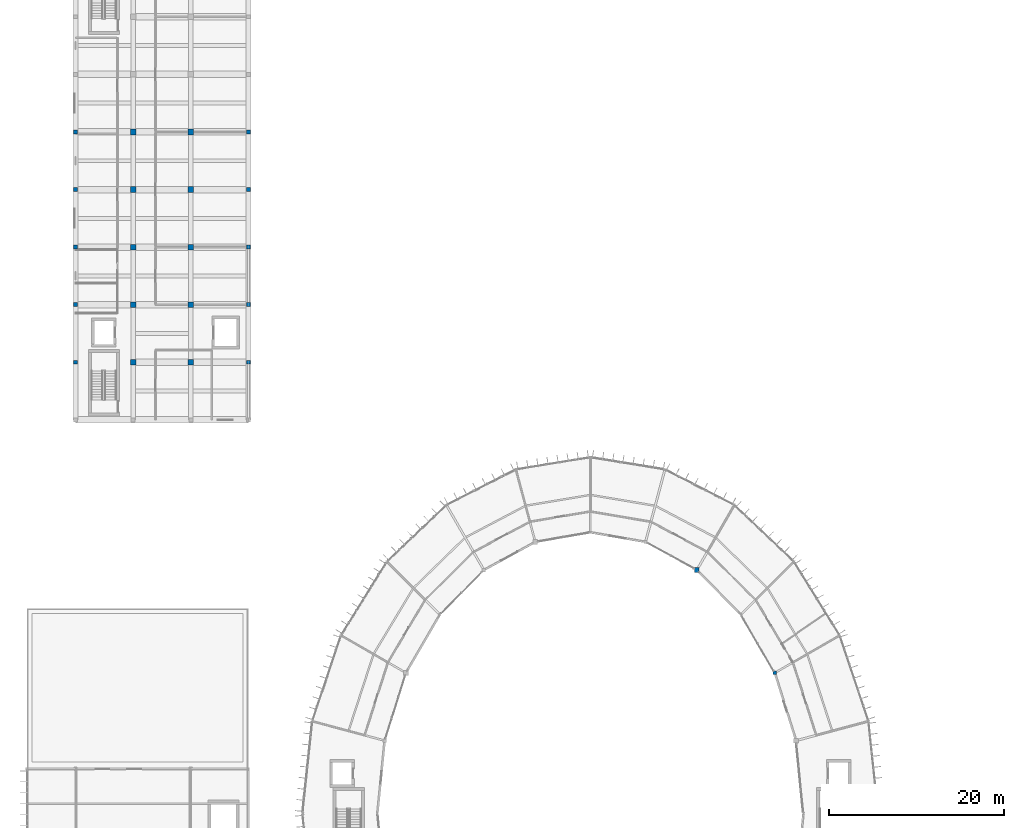
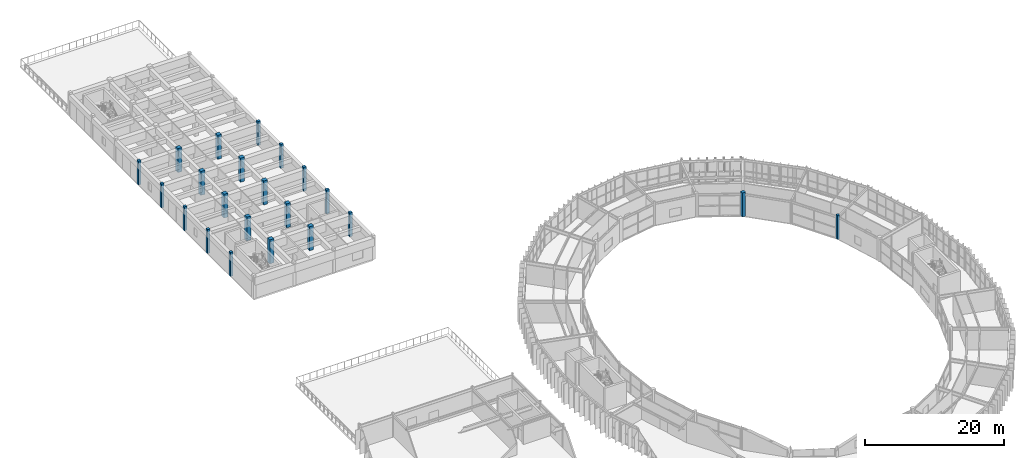
# One storey, part 15 of 130: 22 columns.
"""IFC4 building model written with IfcOpenShell, lengths in metres."""

from ifc_helpers import new_model, si_unit, direction, frame, origin, origin_2d, place, context, subcontext, project, spatial, rectangle, extrude, material, material_profile, profile_set, type_object, element, save


model = new_model("IFC4")

# Units and contexts
model_context = context("Model", 3, precision=1e-05, world=origin(), true_north=direction((0.0, 1.0)))
body_context = subcontext(model_context, "Body", "Model", "MODEL_VIEW")
ifc_project = project(units=[si_unit("LENGTHUNIT", "METRE"), si_unit("AREAUNIT", "SQUARE_METRE"), si_unit("VOLUMEUNIT", "CUBIC_METRE"), si_unit("PLANEANGLEUNIT", "RADIAN"), si_unit("MASSUNIT", "GRAM", prefix="KILO")], contexts=[model_context])

# Site, building, storey
site_placement = place(None, origin())
site = spatial("IfcSite", under=ifc_project, at=site_placement, CompositionType="ELEMENT")
building_placement = place(site_placement, origin())
building = spatial("IfcBuilding", under=site, at=building_placement, Name="Karori Crest Natural Sciences Institute", CompositionType="ELEMENT")
storey_placement = place(building_placement, frame((0.0, 0.0, 17.5)))
storey = spatial("IfcBuildingStorey", under=building, at=storey_placement, Name="L04", CompositionType="ELEMENT", Elevation=17.5)

# Columns
ifc_material = material(Name="Concrete 50 MPa", Category="concrete")
ifc_material_profile_1 = material_profile(ifc_material, rectangle(XDim=0.64990234375, YDim=0.64990234375, at=origin_2d()), Name="RC650x650")
ifc_profile_set_1 = profile_set([ifc_material_profile_1], Name="Concrete 50 MPa")
column_type_1 = type_object("IfcColumnType", Name="CT-19-IL", PredefinedType="COLUMN", material=ifc_profile_set_1)
for number, where, z_axis, x_axis, name in (
    (1, (14.0, 101.60009765625, 0.0), (0.0, 0.0, 1.0), (1.0, 0.0, 0.0), "Column C-0799"),
    (2, (14.0, 108.199951171875, 0.0), (0.0, 0.0, 1.0), (1.0, 0.0, 0.0), "Column C-0807"),
    (3, (14.0, 114.800048828125, 0.0), (0.0, 0.0, 1.0), (1.0, 0.0, 0.0), "Column C-0815"),
    (4, (14.0, 121.39990234375, 0.0), (0.0, 0.0, 1.0), (1.0, 0.0, 0.0), "Column C-0823"),
    (5, (14.0, 128.0, 0.0), (0.0, 0.0, 1.0), (1.0, 0.0, 0.0), "Column C-0830"),
    (6, (20.60009765625, 101.60009765625, 0.0), (0.0, 0.0, 1.0), (1.0, 0.0, 0.0), "Column C-0876"),
    (7, (20.60009765625, 108.199951171875, 0.0), (0.0, 0.0, 1.0), (1.0, 0.0, 0.0), "Column C-0884"),
    (8, (20.60009765625, 114.800048828125, 0.0), (0.0, 0.0, 1.0), (1.0, 0.0, 0.0), "Column C-0892"),
    (9, (20.60009765625, 121.39990234375, 0.0), (0.0, 0.0, 1.0), (1.0, 0.0, 0.0), "Column C-0900"),
    (10, (20.60009765625, 128.0, 0.0), (0.0, 0.0, 1.0), (1.0, 0.0, 0.0), "Column C-0907"),
):
    element("IfcColumn", number, at=place(storey_placement, frame(where, z_axis=z_axis, x_axis=x_axis)), inside=storey, type_object=column_type_1, Name=name, PredefinedType="COLUMN", context=body_context, shape_type="SweptSolid", body=[
        extrude(rectangle(XDim=0.64990234375, YDim=0.64990234375, at=origin_2d()), origin(), (0.0, 0.0, 1.0), 4.199951171875),
    ])
ifc_material_profile_2 = material_profile(ifc_material, rectangle(XDim=0.449951171875, YDim=0.449951171875, at=origin_2d()), Name="RC450x450")
ifc_profile_set_2 = profile_set([ifc_material_profile_2], Name="Concrete 50 MPa")
column_type_2 = type_object("IfcColumnType", Name="CT-23", PredefinedType="PILASTER", material=ifc_profile_set_2)
for number, where, z_axis, x_axis, name in (
    (11, (7.39990234375, 101.60009765625, 0.0), (0.0, 0.0, 1.0), (1.0, 0.0, 0.0), "Column C-0722"),
    (12, (7.39990234375, 108.199951171875, 0.0), (0.0, 0.0, 1.0), (1.0, 0.0, 0.0), "Column C-0730"),
    (13, (7.39990234375, 114.800048828125, 0.0), (0.0, 0.0, 1.0), (1.0, 0.0, 0.0), "Column C-0738"),
    (14, (7.39990234375, 121.39990234375, 0.0), (0.0, 0.0, 1.0), (1.0, 0.0, 0.0), "Column C-0746"),
    (15, (7.39990234375, 128.0, 0.0), (0.0, 0.0, 1.0), (1.0, 0.0, 0.0), "Column C-0753"),
    (16, (27.199951171875, 101.60009765625, 0.0), (0.0, 0.0, 1.0), (1.0, 0.0, 0.0), "Column C-0953"),
    (17, (27.199951171875, 108.199951171875, 0.0), (0.0, 0.0, 1.0), (1.0, 0.0, 0.0), "Column C-0961"),
    (18, (27.199951171875, 114.800048828125, 0.0), (0.0, 0.0, 1.0), (1.0, 0.0, 0.0), "Column C-0969"),
    (19, (27.199951171875, 121.39990234375, 0.0), (0.0, 0.0, 1.0), (1.0, 0.0, 0.0), "Column C-0977"),
    (20, (27.199951171875, 128.0, 0.0), (0.0, 0.0, 1.0), (1.0, 0.0, 0.0), "Column C-0984"),
):
    element("IfcColumn", number, at=place(storey_placement, frame(where, z_axis=z_axis, x_axis=x_axis)), inside=storey, type_object=column_type_2, Name=name, PredefinedType="PILASTER", context=body_context, shape_type="SweptSolid", body=[
        extrude(rectangle(XDim=0.449951171875, YDim=0.449951171875, at=origin_2d()), origin(), (0.0, 0.0, 1.0), 4.199951171875),
    ])
ifc_material_profile_3 = material_profile(ifc_material, rectangle(XDim=0.550048828125, YDim=0.550048828125, at=origin_2d()), Name="RC550x550")
ifc_profile_set_3 = profile_set([ifc_material_profile_3], Name="Concrete 50 MPa")
column_type_3 = type_object("IfcColumnType", Name="CT-30", PredefinedType="COLUMN", material=ifc_profile_set_3)
column_1_placement = place(storey_placement, frame((78.60009765625, 77.785888671875, 0.0), z_axis=(0.0, 0.0, 1.0), x_axis=(1.0, 0.0, 0.0)))
element("IfcColumn", 21, at=column_1_placement, inside=storey, type_object=column_type_3, Name="Column C-0084", PredefinedType="COLUMN", context=body_context, shape_type="SweptSolid", body=[
    extrude(rectangle(XDim=0.550048828125, YDim=0.550048828125, at=origin_2d()), origin(), (0.0, 0.0, 1.0), 4.199951171875),
])
ifc_material_profile_4 = material_profile(ifc_material, rectangle(XDim=0.39990234375, YDim=0.39990234375, at=origin_2d()), Name="RC400x400")
ifc_profile_set_4 = profile_set([ifc_material_profile_4], Name="Concrete 50 MPa")
column_type_4 = type_object("IfcColumnType", Name="CT-31", PredefinedType="PILASTER", material=ifc_profile_set_4)
column_2_placement = place(storey_placement, frame((87.531005859375, 66.0, 0.0), z_axis=(0.0, 0.0, 1.0), x_axis=(1.0, 0.0, 0.0)))
element("IfcColumn", 22, at=column_2_placement, inside=storey, type_object=column_type_4, Name="Column C-0048", PredefinedType="PILASTER", context=body_context, shape_type="SweptSolid", body=[
    extrude(rectangle(XDim=0.39990234375, YDim=0.39990234375, at=origin_2d()), origin(), (0.0, 0.0, 1.0), 4.199951171875),
])

save(model, "model.ifc")
